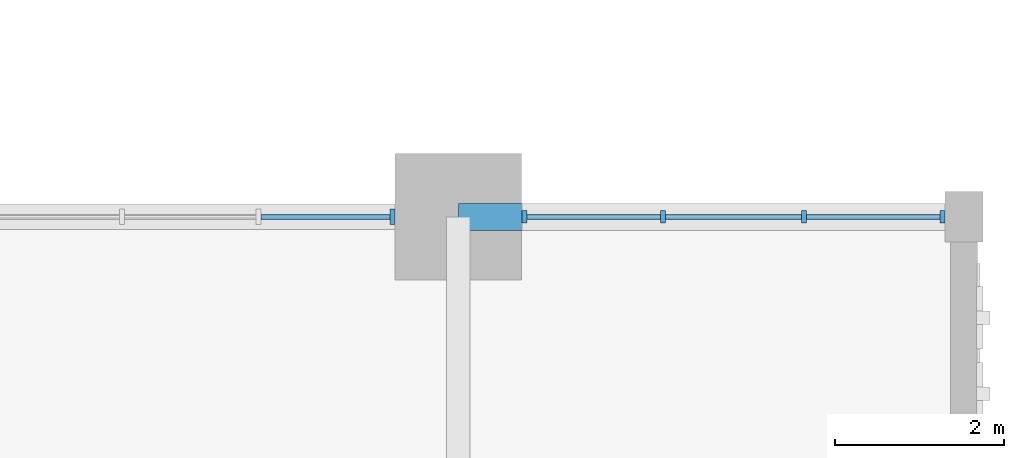
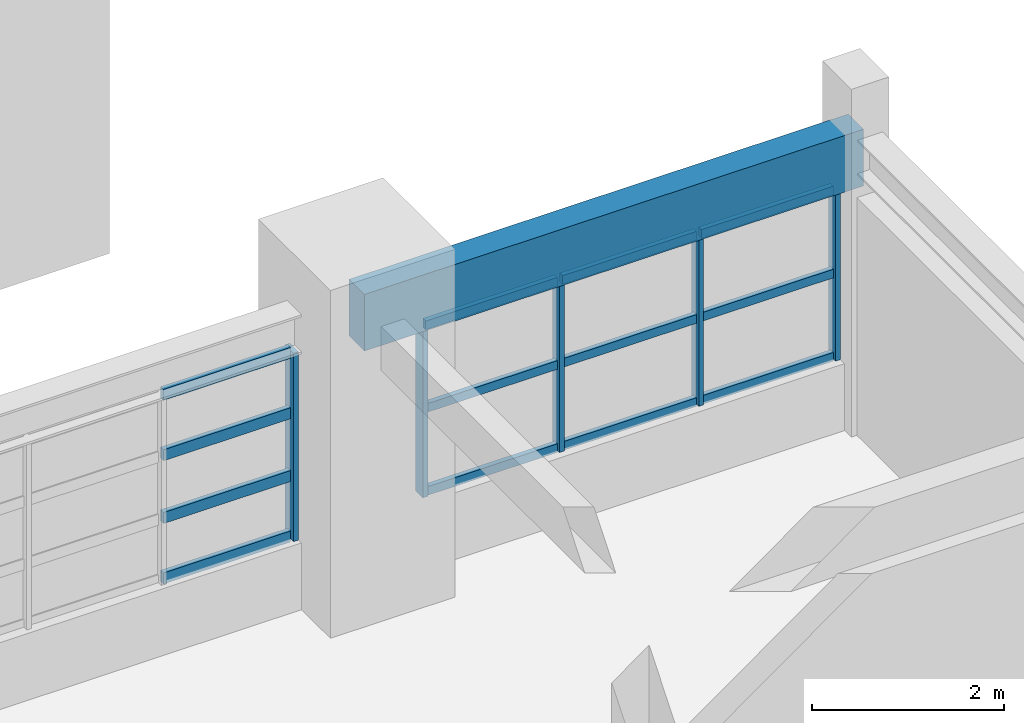
# One storey, part 28 of 69: 18 members, 1 beam, 2 elements without a shape of their own.
"""IFC4 building model written with IfcOpenShell, lengths in metres."""

from ifc_helpers import new_model, si_unit, direction, frame, origin, origin_2d, place, context, subcontext, project, spatial, rectangle, extrude, material, material_profile, profile_set, type_object, element, aggregate, save


model = new_model("IFC4")

# Units and contexts
model_context = context("Model", 3, precision=1e-05, world=origin(), true_north=direction((0.0, 1.0)))
body_context = subcontext(model_context, "Body", "Model", "MODEL_VIEW")
ifc_project = project(units=[si_unit("LENGTHUNIT", "METRE"), si_unit("AREAUNIT", "SQUARE_METRE"), si_unit("VOLUMEUNIT", "CUBIC_METRE"), si_unit("PLANEANGLEUNIT", "RADIAN"), si_unit("MASSUNIT", "GRAM", prefix="KILO")], contexts=[model_context])

# Site, building, storey
site_placement = place(None, origin())
site = spatial("IfcSite", under=ifc_project, at=site_placement, CompositionType="ELEMENT")
building_placement = place(site_placement, origin())
building = spatial("IfcBuilding", under=site, at=building_placement, Name="Nzembalo Square Collegiate School", CompositionType="ELEMENT")
storey_placement = place(building_placement, frame((0.0, 0.0, 5.10009765625)))
storey = spatial("IfcBuildingStorey", under=building, at=storey_placement, Name="L01", CompositionType="ELEMENT", Elevation=5.10009765625)

# Beam
ifc_material_1 = material(Name="Glulam GL32h", Category="wood")
ifc_material_profile_1 = material_profile(ifc_material_1, rectangle(XDim=0.320068359375, YDim=0.719970703125, at=origin_2d()), Name="GL32h 320x720")
ifc_profile_set_1 = profile_set([ifc_material_profile_1], Name="Glulam GL32h")
beam_type = type_object("IfcBeamType", Name="B03", PredefinedType="BEAM", material=ifc_profile_set_1)
beam_placement = place(storey_placement, frame((159.60009765625, 50.39990234375, 3.389892578125), z_axis=(1.0, 0.0, 0.0), x_axis=(0.0, 1.0, 0.0)))
element("IfcBeam", 1, at=beam_placement, inside=storey, type_object=beam_type, Name="Beam B03 L01", PredefinedType="BEAM", context=body_context, shape_type="SweptSolid", body=[
    extrude(rectangle(XDim=0.320068359375, YDim=0.719970703125, at=origin_2d()), origin(), (0.0, 0.0, 1.0), 6.0),
])

# Curtain wall, member
ifc_material_2 = material(Name="Aluminium 6060-T66", Category="aluminium")
curtain_wall_type_1 = type_object("IfcCurtainWallType", Name="CW-10", PredefinedType="USERDEFINED", material=ifc_material_2)
curtain_wall_1_placement = place(storey_placement, origin())
curtain_wall_1 = element("IfcCurtainWall", 2, at=curtain_wall_1_placement, inside=storey, type_object=curtain_wall_type_1, Name="Curtain wall CW-10 cw:L01:061", ObjectType="UNITISED", PredefinedType="USERDEFINED")
ifc_material_3 = material(Name="Aluminium 6060-T66", Category="aluminium")
ifc_material_profile_2 = material_profile(ifc_material_3, rectangle(XDim=0.06005859375, YDim=0.179931640625, at=origin_2d()), Name="ALU M60x180")
ifc_profile_set_2 = profile_set([ifc_material_profile_2], Name="Aluminium 6060-T66")
member_type_1 = type_object("IfcMemberType", Name="ML01", PredefinedType="MULLION", material=ifc_profile_set_2)
member_1_placement = place(storey_placement, frame((158.818115234375, 50.39990234375, 0.849853515625), z_axis=(0.0, 0.0, 1.0), x_axis=(1.0, 0.0, 0.0)))
member_1 = element("IfcMember", 3, at=member_1_placement, type_object=member_type_1, Name="ML01 mullion 6", PredefinedType="MULLION", context=body_context, shape_type="SweptSolid", body=[
    extrude(rectangle(XDim=0.06005859375, YDim=0.179931640625, at=origin_2d()), origin(), (0.0, 0.0, 1.0), 2.39404296875),
])

# Curtain wall, members
ifc_material_4 = material(Name="Aluminium 6060-T66", Category="aluminium")
curtain_wall_type_2 = type_object("IfcCurtainWallType", Name="CW-15", PredefinedType="USERDEFINED", material=ifc_material_4)
curtain_wall_2_placement = place(storey_placement, origin())
curtain_wall_2 = element("IfcCurtainWall", 4, at=curtain_wall_2_placement, inside=storey, type_object=curtain_wall_type_2, Name="Curtain wall CW-15 cw:L01:062", ObjectType="LANCET", PredefinedType="USERDEFINED")
ifc_material_5 = material(Name="Aluminium 6060-T66", Category="aluminium")
ifc_material_profile_3 = material_profile(ifc_material_5, rectangle(XDim=0.06005859375, YDim=0.14990234375, at=origin_2d()), Name="ALU M60x150")
ifc_profile_set_3 = profile_set([ifc_material_profile_3], Name="Aluminium 6060-T66")
member_type_2 = type_object("IfcMemberType", Name="ML02", PredefinedType="MULLION", material=ifc_profile_set_3)
member_2_placement = place(storey_placement, frame((160.382080078125, 50.39990234375, 0.849853515625), z_axis=(0.0, 0.0, 1.0), x_axis=(1.0, 0.0, 0.0)))
member_2 = element("IfcMember", 5, at=member_2_placement, type_object=member_type_2, Name="ML02 mullion 1", PredefinedType="MULLION", context=body_context, shape_type="SweptSolid", body=[
    extrude(rectangle(XDim=0.06005859375, YDim=0.14990234375, at=origin_2d()), origin(), (0.0, 0.0, 1.0), 2.174072265625),
])
member_3_placement = place(storey_placement, frame((162.025634765625, 50.39990234375, 0.849853515625), z_axis=(0.0, 0.0, 1.0), x_axis=(1.0, 0.0, 0.0)))
member_3 = element("IfcMember", 6, at=member_3_placement, type_object=member_type_2, Name="ML02 mullion 2", PredefinedType="MULLION", context=body_context, shape_type="SweptSolid", body=[
    extrude(rectangle(XDim=0.06005859375, YDim=0.14990234375, at=origin_2d()), origin(), (0.0, 0.0, 1.0), 2.174072265625),
])
member_4_placement = place(storey_placement, frame((163.69921875, 50.39990234375, 0.849853515625), z_axis=(0.0, 0.0, 1.0), x_axis=(1.0, 0.0, 0.0)))
member_4 = element("IfcMember", 7, at=member_4_placement, type_object=member_type_2, Name="ML02 mullion 3", PredefinedType="MULLION", context=body_context, shape_type="SweptSolid", body=[
    extrude(rectangle(XDim=0.06005859375, YDim=0.14990234375, at=origin_2d()), origin(), (0.0, 0.0, 1.0), 2.174072265625),
])
member_5_placement = place(storey_placement, frame((165.343017578125, 50.39990234375, 0.849853515625), z_axis=(0.0, 0.0, 1.0), x_axis=(1.0, 0.0, 0.0)))
member_5 = element("IfcMember", 8, at=member_5_placement, type_object=member_type_2, Name="ML02 mullion 4", PredefinedType="MULLION", context=body_context, shape_type="SweptSolid", body=[
    extrude(rectangle(XDim=0.06005859375, YDim=0.14990234375, at=origin_2d()), origin(), (0.0, 0.0, 1.0), 2.174072265625),
])

# Member
ifc_material_6 = material(Name="Aluminium 6060-T66", Category="aluminium")
ifc_material_profile_4 = material_profile(ifc_material_6, rectangle(XDim=0.06005859375, YDim=0.139892578125, at=origin_2d()), Name="ALU T60x140")
ifc_profile_set_4 = profile_set([ifc_material_profile_4], Name="Aluminium 6060-T66")
member_type_3 = type_object("IfcMemberType", Name="TR01", PredefinedType="USERDEFINED", material=ifc_profile_set_4)
member_6_placement = place(storey_placement, frame((157.2587890625, 50.39990234375, 0.8798828125), z_axis=(1.0, 0.0, 0.0), x_axis=(0.0, 1.0, 0.0)))
member_6 = element("IfcMember", 9, at=member_6_placement, type_object=member_type_3, Name="TR01 transom 1-5", ObjectType="TRANSOM", PredefinedType="USERDEFINED", context=body_context, shape_type="SweptSolid", body=[
    extrude(rectangle(XDim=0.06005859375, YDim=0.139892578125, at=origin_2d()), origin(), (0.0, 0.0, 1.0), 1.529296875),
])

member_7_placement = place(storey_placement, frame((157.2587890625, 50.39990234375, 1.64794921875), z_axis=(1.0, 0.0, 0.0), x_axis=(0.0, 1.0, 0.0)))
member_7 = element("IfcMember", 10, at=member_7_placement, type_object=member_type_3, Name="TR01 transom 2-5", ObjectType="TRANSOM", PredefinedType="USERDEFINED", context=body_context, shape_type="SweptSolid", body=[
    extrude(rectangle(XDim=0.06005859375, YDim=0.139892578125, at=origin_2d()), origin(), (0.0, 0.0, 1.0), 1.529296875),
])

member_8_placement = place(storey_placement, frame((157.2587890625, 50.39990234375, 2.44580078125), z_axis=(1.0, 0.0, 0.0), x_axis=(0.0, 1.0, 0.0)))
member_8 = element("IfcMember", 11, at=member_8_placement, type_object=member_type_3, Name="TR01 transom 3-5", ObjectType="TRANSOM", PredefinedType="USERDEFINED", context=body_context, shape_type="SweptSolid", body=[
    extrude(rectangle(XDim=0.06005859375, YDim=0.139892578125, at=origin_2d()), origin(), (0.0, 0.0, 1.0), 1.529296875),
])

member_9_placement = place(storey_placement, frame((157.2587890625, 50.39990234375, 3.2138671875), z_axis=(1.0, 0.0, 0.0), x_axis=(0.0, 1.0, 0.0)))
member_9 = element("IfcMember", 12, at=member_9_placement, type_object=member_type_3, Name="TR01 transom 4-5", ObjectType="TRANSOM", PredefinedType="USERDEFINED", context=body_context, shape_type="SweptSolid", body=[
    extrude(rectangle(XDim=0.06005859375, YDim=0.139892578125, at=origin_2d()), origin(), (0.0, 0.0, 1.0), 1.529296875),
])

aggregate(curtain_wall_1, [member_1, member_6, member_7, member_8, member_9])

ifc_material_7 = material(Name="Aluminium 6060-T66", Category="aluminium")
ifc_material_profile_5 = material_profile(ifc_material_7, rectangle(XDim=0.06005859375, YDim=0.110107421875, at=origin_2d()), Name="ALU T60x110")
ifc_profile_set_5 = profile_set([ifc_material_profile_5], Name="Aluminium 6060-T66")
member_type_4 = type_object("IfcMemberType", Name="TR02", PredefinedType="USERDEFINED", material=ifc_profile_set_5)
member_10_placement = place(storey_placement, frame((160.412109375, 50.39990234375, 0.8798828125), z_axis=(1.0, 0.0, 0.0), x_axis=(0.0, 1.0, 0.0)))
member_10 = element("IfcMember", 13, at=member_10_placement, type_object=member_type_4, Name="TR02 transom 1-1", ObjectType="TRANSOM", PredefinedType="USERDEFINED", context=body_context, shape_type="SweptSolid", body=[
    extrude(rectangle(XDim=0.06005859375, YDim=0.110107421875, at=origin_2d()), origin(), (0.0, 0.0, 1.0), 1.58349609375),
])

member_11_placement = place(storey_placement, frame((162.0556640625, 50.39990234375, 0.8798828125), z_axis=(1.0, 0.0, 0.0), x_axis=(0.0, 1.0, 0.0)))
member_11 = element("IfcMember", 14, at=member_11_placement, type_object=member_type_4, Name="TR02 transom 1-2", ObjectType="TRANSOM", PredefinedType="USERDEFINED", context=body_context, shape_type="SweptSolid", body=[
    extrude(rectangle(XDim=0.06005859375, YDim=0.110107421875, at=origin_2d()), origin(), (0.0, 0.0, 1.0), 1.61376953125),
])

member_12_placement = place(storey_placement, frame((163.729248046875, 50.39990234375, 0.8798828125), z_axis=(1.0, 0.0, 0.0), x_axis=(0.0, 1.0, 0.0)))
member_12 = element("IfcMember", 15, at=member_12_placement, type_object=member_type_4, Name="TR02 transom 1-3", ObjectType="TRANSOM", PredefinedType="USERDEFINED", context=body_context, shape_type="SweptSolid", body=[
    extrude(rectangle(XDim=0.06005859375, YDim=0.110107421875, at=origin_2d()), origin(), (0.0, 0.0, 1.0), 1.583740234375),
])

member_13_placement = place(storey_placement, frame((160.412109375, 50.39990234375, 1.93701171875), z_axis=(1.0, 0.0, 0.0), x_axis=(0.0, 1.0, 0.0)))
member_13 = element("IfcMember", 16, at=member_13_placement, type_object=member_type_4, Name="TR02 transom 2-1", ObjectType="TRANSOM", PredefinedType="USERDEFINED", context=body_context, shape_type="SweptSolid", body=[
    extrude(rectangle(XDim=0.06005859375, YDim=0.110107421875, at=origin_2d()), origin(), (0.0, 0.0, 1.0), 1.58349609375),
])

member_14_placement = place(storey_placement, frame((162.0556640625, 50.39990234375, 1.93701171875), z_axis=(1.0, 0.0, 0.0), x_axis=(0.0, 1.0, 0.0)))
member_14 = element("IfcMember", 17, at=member_14_placement, type_object=member_type_4, Name="TR02 transom 2-2", ObjectType="TRANSOM", PredefinedType="USERDEFINED", context=body_context, shape_type="SweptSolid", body=[
    extrude(rectangle(XDim=0.06005859375, YDim=0.110107421875, at=origin_2d()), origin(), (0.0, 0.0, 1.0), 1.61376953125),
])

member_15_placement = place(storey_placement, frame((163.729248046875, 50.39990234375, 1.93701171875), z_axis=(1.0, 0.0, 0.0), x_axis=(0.0, 1.0, 0.0)))
member_15 = element("IfcMember", 18, at=member_15_placement, type_object=member_type_4, Name="TR02 transom 2-3", ObjectType="TRANSOM", PredefinedType="USERDEFINED", context=body_context, shape_type="SweptSolid", body=[
    extrude(rectangle(XDim=0.06005859375, YDim=0.110107421875, at=origin_2d()), origin(), (0.0, 0.0, 1.0), 1.583740234375),
])

member_16_placement = place(storey_placement, frame((160.412109375, 50.39990234375, 2.993896484375), z_axis=(1.0, 0.0, 0.0), x_axis=(0.0, 1.0, 0.0)))
member_16 = element("IfcMember", 19, at=member_16_placement, type_object=member_type_4, Name="TR02 transom 3-1", ObjectType="TRANSOM", PredefinedType="USERDEFINED", context=body_context, shape_type="SweptSolid", body=[
    extrude(rectangle(XDim=0.06005859375, YDim=0.110107421875, at=origin_2d()), origin(), (0.0, 0.0, 1.0), 1.58349609375),
])

member_17_placement = place(storey_placement, frame((162.0556640625, 50.39990234375, 2.993896484375), z_axis=(1.0, 0.0, 0.0), x_axis=(0.0, 1.0, 0.0)))
member_17 = element("IfcMember", 20, at=member_17_placement, type_object=member_type_4, Name="TR02 transom 3-2", ObjectType="TRANSOM", PredefinedType="USERDEFINED", context=body_context, shape_type="SweptSolid", body=[
    extrude(rectangle(XDim=0.06005859375, YDim=0.110107421875, at=origin_2d()), origin(), (0.0, 0.0, 1.0), 1.61376953125),
])

member_18_placement = place(storey_placement, frame((163.729248046875, 50.39990234375, 2.993896484375), z_axis=(1.0, 0.0, 0.0), x_axis=(0.0, 1.0, 0.0)))
member_18 = element("IfcMember", 21, at=member_18_placement, type_object=member_type_4, Name="TR02 transom 3-3", ObjectType="TRANSOM", PredefinedType="USERDEFINED", context=body_context, shape_type="SweptSolid", body=[
    extrude(rectangle(XDim=0.06005859375, YDim=0.110107421875, at=origin_2d()), origin(), (0.0, 0.0, 1.0), 1.583740234375),
])

aggregate(curtain_wall_2, [member_2, member_3, member_4, member_5, member_10, member_11, member_12, member_13, member_14, member_15, member_16, member_17, member_18])

save(model, "model.ifc")
